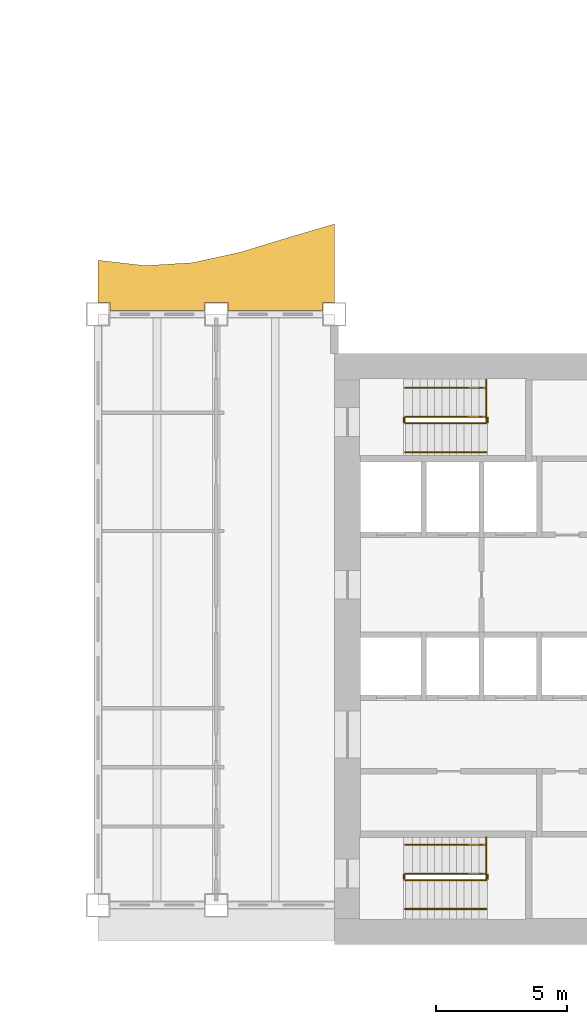
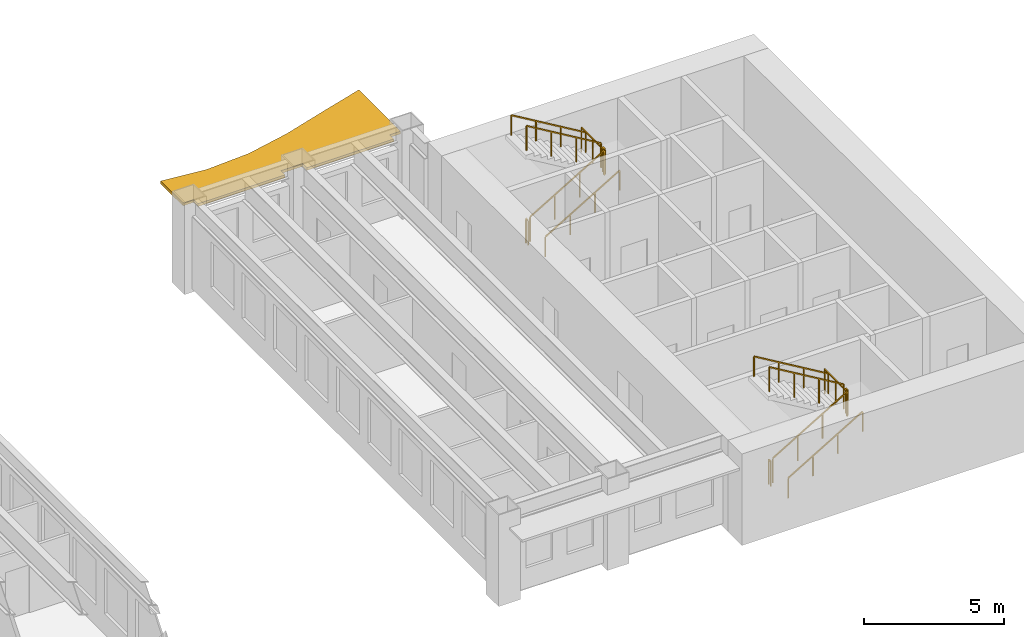
# One storey, part 12 of 13: 14 railings, 1 shading device.
"""IFC4 building model written with IfcOpenShell, lengths in metres."""

from ifc_helpers import new_model, si_unit, direction, frame, origin, origin_2d, place, context, subcontext, project, spatial, polyline, rectangle, outline, extrude, material, layer, layer_set, type_object, element, save


model = new_model("IFC4")

# Units and contexts
model_context = context("Model", 3, precision=1e-05, world=origin(), true_north=direction((0.0, 1.0)))
body_context = subcontext(model_context, "Body", "Model", "MODEL_VIEW")
ifc_project = project(units=[si_unit("LENGTHUNIT", "METRE"), si_unit("AREAUNIT", "SQUARE_METRE"), si_unit("VOLUMEUNIT", "CUBIC_METRE"), si_unit("PLANEANGLEUNIT", "RADIAN"), si_unit("MASSUNIT", "GRAM", prefix="KILO")], contexts=[model_context])

# Site, building, storey
site_placement = place(None, origin())
site = spatial("IfcSite", under=ifc_project, at=site_placement, CompositionType="ELEMENT")
building_placement = place(site_placement, origin())
building = spatial("IfcBuilding", under=site, at=building_placement, Name="Sennacour Bend Tower", CompositionType="ELEMENT")
storey_placement = place(building_placement, frame((0.0, 0.0, 143.0)))
storey = spatial("IfcBuildingStorey", under=building, at=storey_placement, Name="L32", CompositionType="ELEMENT", Elevation=143.0)

# Railings
ifc_material_1 = material(Name="Stainless steel", Category="steel")
railing_type_1 = type_object("IfcRailingType", Name="RL-GUARD-1100", PredefinedType="GUARDRAIL", material=ifc_material_1)
railing_1_placement = place(storey_placement, frame((56.699951171875, 2.449951171875, 0.166748046875)))
element("IfcRailing", 1, at=railing_1_placement, inside=storey, type_object=railing_type_1, Name="L32 SA1 stair guard 1", PredefinedType="GUARDRAIL", context=body_context, shape_type="SweptSolid", body=[
    extrude(rectangle(XDim=0.048095703125, YDim=0.048095703125, at=origin_2d()), frame((0.0, 0.0, 1.076171875), z_axis=(0.859308565015, 0.0, 0.511457515432), x_axis=(0.0, 1.0, 0.0)), (0.0, 0.0, 1.0), 3.58447265625),
    extrude(rectangle(XDim=0.0419921875, YDim=0.0419921875, at=origin_2d()), origin(), (0.0, 0.0, 1.0), 1.052001953125),
    extrude(rectangle(XDim=0.0419921875, YDim=0.0419921875, at=origin_2d()), frame((1.026611328125, 0.0, 0.611083984375)), (0.0, 0.0, 1.0), 1.052001953125),
    extrude(rectangle(XDim=0.0419921875, YDim=0.0419921875, at=origin_2d()), frame((2.053466796875, 0.0, 1.22216796875)), (0.0, 0.0, 1.0), 1.052001953125),
    extrude(rectangle(XDim=0.0419921875, YDim=0.0419921875, at=origin_2d()), frame((3.080078125, 0.0, 1.833251953125)), (0.0, 0.0, 1.0), 1.052001953125),
])
railing_2_placement = place(storey_placement, frame((59.830078125, 2.5, 2.0)))
element("IfcRailing", 2, at=railing_2_placement, inside=storey, type_object=railing_type_1, Name="L32 SA1 stair guard 2", PredefinedType="GUARDRAIL", context=body_context, shape_type="SweptSolid", body=[
    extrude(rectangle(XDim=0.048095703125, YDim=0.048095703125, at=origin_2d()), frame((0.0, 0.0, 1.076171875), z_axis=(0.0, 1.0, 0.0), x_axis=(-1.0, 0.0, 0.0)), (0.0, 0.0, 1.0), 0.14990234375),
    extrude(rectangle(XDim=0.0419921875, YDim=0.0419921875, at=origin_2d()), origin(), (0.0, 0.0, 1.0), 1.052001953125),
    extrude(rectangle(XDim=0.0419921875, YDim=0.0419921875, at=origin_2d()), frame((0.0, 0.14990234375, 0.0)), (0.0, 0.0, 1.0), 1.052001953125),
])
railing_3_placement = place(storey_placement, frame((59.780029296875, 2.699951171875, 2.166748046875)))
element("IfcRailing", 3, at=railing_3_placement, inside=storey, type_object=railing_type_1, Name="L32 SA1 stair guard 4", PredefinedType="GUARDRAIL", context=body_context, shape_type="SweptSolid", body=[
    extrude(rectangle(XDim=0.048095703125, YDim=0.048095703125, at=origin_2d()), frame((0.0, 0.0, 1.076171875), z_axis=(-0.859308565015, 0.0, 0.511457515432), x_axis=(0.0, -1.0, 0.0)), (0.0, 0.0, 1.0), 3.58447265625),
    extrude(rectangle(XDim=0.0419921875, YDim=0.0419921875, at=origin_2d()), origin(), (0.0, 0.0, 1.0), 1.052001953125),
    extrude(rectangle(XDim=0.0419921875, YDim=0.0419921875, at=origin_2d()), frame((-1.026611328125, 0.0, 0.611083984375)), (0.0, 0.0, 1.0), 1.052001953125),
    extrude(rectangle(XDim=0.0419921875, YDim=0.0419921875, at=origin_2d()), frame((-2.053466796875, 0.0, 1.22216796875)), (0.0, 0.0, 1.0), 1.052001953125),
    extrude(rectangle(XDim=0.0419921875, YDim=0.0419921875, at=origin_2d()), frame((-3.080078125, 0.0, 1.833251953125)), (0.0, 0.0, 1.0), 1.052001953125),
])
railing_4_placement = place(storey_placement, frame((56.64990234375, 2.5, 0.0)))
element("IfcRailing", 4, at=railing_4_placement, inside=storey, type_object=railing_type_1, Name="L32 SA1 stair guard 5", PredefinedType="GUARDRAIL", context=body_context, shape_type="SweptSolid", body=[
    extrude(rectangle(XDim=0.048095703125, YDim=0.048095703125, at=origin_2d()), frame((0.0, 0.0, 1.076171875), z_axis=(0.0, 1.0, 0.0), x_axis=(-1.0, 0.0, 0.0)), (0.0, 0.0, 1.0), 0.14990234375),
    extrude(rectangle(XDim=0.0419921875, YDim=0.0419921875, at=origin_2d()), origin(), (0.0, 0.0, 1.0), 1.052001953125),
    extrude(rectangle(XDim=0.0419921875, YDim=0.0419921875, at=origin_2d()), frame((0.0, 0.14990234375, 0.0)), (0.0, 0.0, 1.0), 1.052001953125),
])
railing_5_placement = place(storey_placement, frame((59.780029296875, 2.5, 2.0)))
element("IfcRailing", 5, at=railing_5_placement, inside=storey, type_object=railing_type_1, Name="L32 SA1 landing edge guard 52", PredefinedType="GUARDRAIL", context=body_context, shape_type="SweptSolid", body=[
    extrude(rectangle(XDim=0.048095703125, YDim=0.048095703125, at=origin_2d()), frame((0.0, 0.0, 1.076171875), z_axis=(0.0, 1.0, 0.0), x_axis=(-1.0, 0.0, 0.0)), (0.0, 0.0, 1.0), 1.574951171875),
    extrude(rectangle(XDim=0.0419921875, YDim=0.0419921875, at=origin_2d()), origin(), (0.0, 0.0, 1.0), 1.052001953125),
    extrude(rectangle(XDim=0.0419921875, YDim=0.0419921875, at=origin_2d()), frame((0.0, 0.78759765625, 0.0)), (0.0, 0.0, 1.0), 1.052001953125),
    extrude(rectangle(XDim=0.0419921875, YDim=0.0419921875, at=origin_2d()), frame((0.0, 1.574951171875, 0.0)), (0.0, 0.0, 1.0), 1.052001953125),
])
railing_6_placement = place(storey_placement, frame((56.699951171875, 19.85009765625, 0.166748046875)))
element("IfcRailing", 6, at=railing_6_placement, inside=storey, type_object=railing_type_1, Name="L32 SA2 stair guard 1", PredefinedType="GUARDRAIL", context=body_context, shape_type="SweptSolid", body=[
    extrude(rectangle(XDim=0.048095703125, YDim=0.048095703125, at=origin_2d()), frame((0.0, 0.0, 1.076171875), z_axis=(0.859308565015, 0.0, 0.511457515432), x_axis=(0.0, 1.0, 0.0)), (0.0, 0.0, 1.0), 3.58447265625),
    extrude(rectangle(XDim=0.0419921875, YDim=0.0419921875, at=origin_2d()), origin(), (0.0, 0.0, 1.0), 1.052001953125),
    extrude(rectangle(XDim=0.0419921875, YDim=0.0419921875, at=origin_2d()), frame((1.026611328125, 0.0, 0.611083984375)), (0.0, 0.0, 1.0), 1.052001953125),
    extrude(rectangle(XDim=0.0419921875, YDim=0.0419921875, at=origin_2d()), frame((2.053466796875, 0.0, 1.22216796875)), (0.0, 0.0, 1.0), 1.052001953125),
    extrude(rectangle(XDim=0.0419921875, YDim=0.0419921875, at=origin_2d()), frame((3.080078125, 0.0, 1.833251953125)), (0.0, 0.0, 1.0), 1.052001953125),
])
railing_7_placement = place(storey_placement, frame((59.830078125, 19.89990234375, 2.0)))
element("IfcRailing", 7, at=railing_7_placement, inside=storey, type_object=railing_type_1, Name="L32 SA2 stair guard 2", PredefinedType="GUARDRAIL", context=body_context, shape_type="SweptSolid", body=[
    extrude(rectangle(XDim=0.048095703125, YDim=0.048095703125, at=origin_2d()), frame((0.0, 0.0, 1.076171875), z_axis=(0.0, 1.0, 0.0), x_axis=(-1.0, 0.0, 0.0)), (0.0, 0.0, 1.0), 0.150146484375),
    extrude(rectangle(XDim=0.0419921875, YDim=0.0419921875, at=origin_2d()), origin(), (0.0, 0.0, 1.0), 1.052001953125),
    extrude(rectangle(XDim=0.0419921875, YDim=0.0419921875, at=origin_2d()), frame((0.0, 0.150146484375, 0.0)), (0.0, 0.0, 1.0), 1.052001953125),
])
railing_8_placement = place(storey_placement, frame((59.780029296875, 20.10009765625, 2.166748046875)))
element("IfcRailing", 8, at=railing_8_placement, inside=storey, type_object=railing_type_1, Name="L32 SA2 stair guard 4", PredefinedType="GUARDRAIL", context=body_context, shape_type="SweptSolid", body=[
    extrude(rectangle(XDim=0.048095703125, YDim=0.048095703125, at=origin_2d()), frame((0.0, 0.0, 1.076171875), z_axis=(-0.859308565015, 0.0, 0.511457515432), x_axis=(0.0, -1.0, 0.0)), (0.0, 0.0, 1.0), 3.58447265625),
    extrude(rectangle(XDim=0.0419921875, YDim=0.0419921875, at=origin_2d()), origin(), (0.0, 0.0, 1.0), 1.052001953125),
    extrude(rectangle(XDim=0.0419921875, YDim=0.0419921875, at=origin_2d()), frame((-1.026611328125, 0.0, 0.611083984375)), (0.0, 0.0, 1.0), 1.052001953125),
    extrude(rectangle(XDim=0.0419921875, YDim=0.0419921875, at=origin_2d()), frame((-2.053466796875, 0.0, 1.22216796875)), (0.0, 0.0, 1.0), 1.052001953125),
    extrude(rectangle(XDim=0.0419921875, YDim=0.0419921875, at=origin_2d()), frame((-3.080078125, 0.0, 1.833251953125)), (0.0, 0.0, 1.0), 1.052001953125),
])
railing_9_placement = place(storey_placement, frame((56.64990234375, 19.89990234375, 0.0)))
element("IfcRailing", 9, at=railing_9_placement, inside=storey, type_object=railing_type_1, Name="L32 SA2 stair guard 5", PredefinedType="GUARDRAIL", context=body_context, shape_type="SweptSolid", body=[
    extrude(rectangle(XDim=0.048095703125, YDim=0.048095703125, at=origin_2d()), frame((0.0, 0.0, 1.076171875), z_axis=(0.0, 1.0, 0.0), x_axis=(-1.0, 0.0, 0.0)), (0.0, 0.0, 1.0), 0.150146484375),
    extrude(rectangle(XDim=0.0419921875, YDim=0.0419921875, at=origin_2d()), origin(), (0.0, 0.0, 1.0), 1.052001953125),
    extrude(rectangle(XDim=0.0419921875, YDim=0.0419921875, at=origin_2d()), frame((0.0, 0.150146484375, 0.0)), (0.0, 0.0, 1.0), 1.052001953125),
])
railing_10_placement = place(storey_placement, frame((59.780029296875, 19.89990234375, 2.0)))
element("IfcRailing", 10, at=railing_10_placement, inside=storey, type_object=railing_type_1, Name="L32 SA2 landing edge guard 47", PredefinedType="GUARDRAIL", context=body_context, shape_type="SweptSolid", body=[
    extrude(rectangle(XDim=0.048095703125, YDim=0.048095703125, at=origin_2d()), frame((0.0, 0.0, 1.076171875), z_axis=(0.0, 1.0, 0.0), x_axis=(-1.0, 0.0, 0.0)), (0.0, 0.0, 1.0), 1.60009765625),
    extrude(rectangle(XDim=0.0419921875, YDim=0.0419921875, at=origin_2d()), origin(), (0.0, 0.0, 1.0), 1.052001953125),
    extrude(rectangle(XDim=0.0419921875, YDim=0.0419921875, at=origin_2d()), frame((0.0, 0.800048828125, 0.0)), (0.0, 0.0, 1.0), 1.052001953125),
    extrude(rectangle(XDim=0.0419921875, YDim=0.0419921875, at=origin_2d()), frame((0.0, 1.60009765625, 0.0)), (0.0, 0.0, 1.0), 1.052001953125),
])
railing_type_2 = type_object("IfcRailingType", Name="RL-HANDRAIL-900", PredefinedType="HANDRAIL", material=ifc_material_1)
railing_11_placement = place(storey_placement, frame((56.699951171875, 1.35009765625, 0.166748046875)))
element("IfcRailing", 11, at=railing_11_placement, inside=storey, type_object=railing_type_2, Name="L32 SA1 stair handrail 1", PredefinedType="HANDRAIL", context=body_context, shape_type="SweptSolid", body=[
    extrude(rectangle(XDim=0.048095703125, YDim=0.048095703125, at=origin_2d()), frame((0.0, 0.0, 0.8759765625), z_axis=(0.859308565015, 0.0, 0.511457515432), x_axis=(0.0, 1.0, 0.0)), (0.0, 0.0, 1.0), 3.58447265625),
    extrude(rectangle(XDim=0.0419921875, YDim=0.0419921875, at=origin_2d()), origin(), (0.0, 0.0, 1.0), 0.851806640625),
    extrude(rectangle(XDim=0.0419921875, YDim=0.0419921875, at=origin_2d()), frame((1.026611328125, 0.0, 0.611083984375)), (0.0, 0.0, 1.0), 0.851806640625),
    extrude(rectangle(XDim=0.0419921875, YDim=0.0419921875, at=origin_2d()), frame((2.053466796875, 0.0, 1.22216796875)), (0.0, 0.0, 1.0), 0.851806640625),
    extrude(rectangle(XDim=0.0419921875, YDim=0.0419921875, at=origin_2d()), frame((3.080078125, 0.0, 1.833251953125)), (0.0, 0.0, 1.0), 0.851806640625),
])
railing_12_placement = place(storey_placement, frame((59.780029296875, 3.800048828125, 2.166748046875)))
element("IfcRailing", 12, at=railing_12_placement, inside=storey, type_object=railing_type_2, Name="L32 SA1 stair handrail 2", PredefinedType="HANDRAIL", context=body_context, shape_type="SweptSolid", body=[
    extrude(rectangle(XDim=0.048095703125, YDim=0.048095703125, at=origin_2d()), frame((0.0, 0.0, 0.8759765625), z_axis=(-0.859308565015, 0.0, 0.511457515432), x_axis=(0.0, -1.0, 0.0)), (0.0, 0.0, 1.0), 3.58447265625),
    extrude(rectangle(XDim=0.0419921875, YDim=0.0419921875, at=origin_2d()), origin(), (0.0, 0.0, 1.0), 0.851806640625),
    extrude(rectangle(XDim=0.0419921875, YDim=0.0419921875, at=origin_2d()), frame((-1.026611328125, 0.0, 0.611083984375)), (0.0, 0.0, 1.0), 0.851806640625),
    extrude(rectangle(XDim=0.0419921875, YDim=0.0419921875, at=origin_2d()), frame((-2.053466796875, 0.0, 1.22216796875)), (0.0, 0.0, 1.0), 0.851806640625),
    extrude(rectangle(XDim=0.0419921875, YDim=0.0419921875, at=origin_2d()), frame((-3.080078125, 0.0, 1.833251953125)), (0.0, 0.0, 1.0), 0.851806640625),
])
railing_13_placement = place(storey_placement, frame((56.699951171875, 18.75, 0.166748046875)))
element("IfcRailing", 13, at=railing_13_placement, inside=storey, type_object=railing_type_2, Name="L32 SA2 stair handrail 1", PredefinedType="HANDRAIL", context=body_context, shape_type="SweptSolid", body=[
    extrude(rectangle(XDim=0.048095703125, YDim=0.048095703125, at=origin_2d()), frame((0.0, 0.0, 0.8759765625), z_axis=(0.859308565015, 0.0, 0.511457515432), x_axis=(0.0, 1.0, 0.0)), (0.0, 0.0, 1.0), 3.58447265625),
    extrude(rectangle(XDim=0.0419921875, YDim=0.0419921875, at=origin_2d()), origin(), (0.0, 0.0, 1.0), 0.851806640625),
    extrude(rectangle(XDim=0.0419921875, YDim=0.0419921875, at=origin_2d()), frame((1.026611328125, 0.0, 0.611083984375)), (0.0, 0.0, 1.0), 0.851806640625),
    extrude(rectangle(XDim=0.0419921875, YDim=0.0419921875, at=origin_2d()), frame((2.053466796875, 0.0, 1.22216796875)), (0.0, 0.0, 1.0), 0.851806640625),
    extrude(rectangle(XDim=0.0419921875, YDim=0.0419921875, at=origin_2d()), frame((3.080078125, 0.0, 1.833251953125)), (0.0, 0.0, 1.0), 0.851806640625),
])
railing_14_placement = place(storey_placement, frame((59.780029296875, 21.199951171875, 2.166748046875)))
element("IfcRailing", 14, at=railing_14_placement, inside=storey, type_object=railing_type_2, Name="L32 SA2 stair handrail 2", PredefinedType="HANDRAIL", context=body_context, shape_type="SweptSolid", body=[
    extrude(rectangle(XDim=0.048095703125, YDim=0.048095703125, at=origin_2d()), frame((0.0, 0.0, 0.8759765625), z_axis=(-0.859308565015, 0.0, 0.511457515432), x_axis=(0.0, -1.0, 0.0)), (0.0, 0.0, 1.0), 3.58447265625),
    extrude(rectangle(XDim=0.0419921875, YDim=0.0419921875, at=origin_2d()), origin(), (0.0, 0.0, 1.0), 0.851806640625),
    extrude(rectangle(XDim=0.0419921875, YDim=0.0419921875, at=origin_2d()), frame((-1.026611328125, 0.0, 0.611083984375)), (0.0, 0.0, 1.0), 0.851806640625),
    extrude(rectangle(XDim=0.0419921875, YDim=0.0419921875, at=origin_2d()), frame((-2.053466796875, 0.0, 1.22216796875)), (0.0, 0.0, 1.0), 0.851806640625),
    extrude(rectangle(XDim=0.0419921875, YDim=0.0419921875, at=origin_2d()), frame((-3.080078125, 0.0, 1.833251953125)), (0.0, 0.0, 1.0), 0.851806640625),
])

# Shading device
ifc_material_2 = material(Name="Bronze anodised aluminium", Category="aluminium")
ifc_layer = layer(ifc_material_2, 0.1201171875, Name="Bronze anodised aluminium", Category="aluminium")
ifc_layer_set = layer_set([ifc_layer], Name="Bronze anodised aluminium")
shading_device_type = type_object("IfcShadingDeviceType", Name="SUNSHADE BAND WAVE", PredefinedType="USERDEFINED", material=ifc_layer_set)
shading_device_placement = place(storey_placement, frame((0.0, 0.0, 3.029052734375)))
element("IfcShadingDevice", 15, at=shading_device_placement, inside=storey, type_object=shading_device_type, Name="Sunshade band L32 concave faces", ObjectType="SUNSHADE", PredefinedType="USERDEFINED", context=body_context, shape_type="SweptSolid", body=[
    extrude(outline(polyline([(53.550048828125, 24.14990234375), (49.949951171875, 24.14990234375), (49.949951171875, 24.449951171875), (49.050048828125, 24.449951171875), (49.050048828125, 24.14990234375), (45.449951171875, 24.14990234375), (45.449951171875, 24.449951171875), (45.0, 24.449951171875), (45.0, 26.05810546875), (46.800048828125, 25.853759765625), (48.60009765625, 25.965576171875), (50.39990234375, 26.3583984375), (52.199951171875, 26.906982421875), (54.0, 27.437744140625), (54.0, 24.449951171875), (53.550048828125, 24.449951171875), (53.550048828125, 24.14990234375)])), origin(), (0.0, 0.0, 1.0), 0.119873046875),
])

save(model, "model.ifc")
